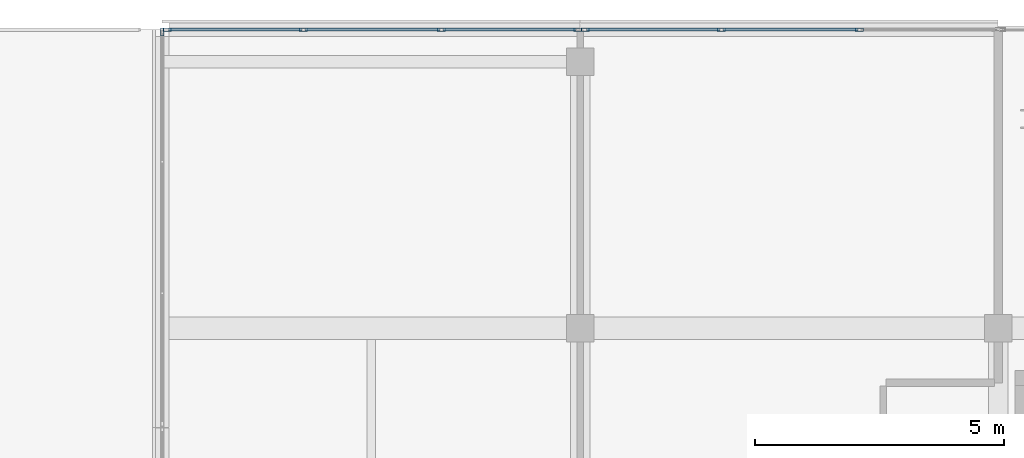
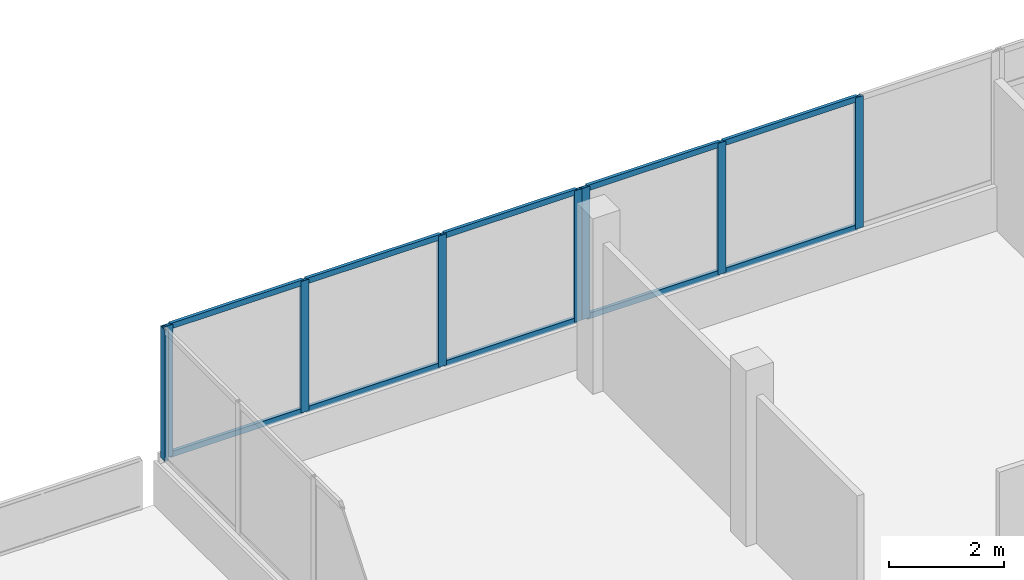
# One storey, part 23 of 67: 18 members, 3 elements without a shape of their own.
"""IFC4 building model written with IfcOpenShell, lengths in metres."""

from ifc_helpers import new_model, si_unit, direction, frame, origin, origin_2d, place, context, subcontext, project, spatial, hollow_rectangle, extrude, material, material_profile, profile_set, type_object, element, aggregate, save


model = new_model("IFC4")

# Units and contexts
model_context = context("Model", 3, precision=1e-05, world=origin(), true_north=direction((0.0, 1.0)))
body_context = subcontext(model_context, "Body", "Model", "MODEL_VIEW")
ifc_project = project(units=[si_unit("LENGTHUNIT", "METRE"), si_unit("AREAUNIT", "SQUARE_METRE"), si_unit("VOLUMEUNIT", "CUBIC_METRE"), si_unit("PLANEANGLEUNIT", "RADIAN"), si_unit("MASSUNIT", "GRAM", prefix="KILO")], contexts=[model_context])

# Site, building, storey
site_placement = place(None, origin())
site = spatial("IfcSite", under=ifc_project, at=site_placement, CompositionType="ELEMENT")
building_placement = place(site_placement, origin())
building = spatial("IfcBuilding", under=site, at=building_placement, Name="Selatvlak General Hospital", CompositionType="ELEMENT")
storey_placement = place(building_placement, frame((0.0, 0.0, 35.39990234375)))
storey = spatial("IfcBuildingStorey", under=building, at=storey_placement, Name="L08", CompositionType="ELEMENT", Elevation=35.39990234375)

# Curtain wall, member
ifc_material_1 = material(Name="Solar-control Low-E double glazing", Category="glass")
curtain_wall_type_1 = type_object("IfcCurtainWallType", Name="CW-CW-01", PredefinedType="USERDEFINED", material=ifc_material_1)
curtain_wall_1_placement = place(storey_placement, origin())
curtain_wall_1 = element("IfcCurtainWall", 1, at=curtain_wall_1_placement, inside=storey, type_object=curtain_wall_type_1, Name="Glazed facade curtain wall CW-L08-0682", ObjectType="UNITISED CURTAIN WALL", PredefinedType="USERDEFINED")
ifc_material_2 = material(Name="Dark anodised aluminium mullion", Category="aluminium")
ifc_material_profile_1 = material_profile(ifc_material_2, hollow_rectangle(XDim=0.06494140625, YDim=0.159912109375, WallThickness=0.00390625, at=origin_2d()), Name="AL-MUL 65x160x4")
ifc_profile_set_1 = profile_set([ifc_material_profile_1], Name="Dark anodised aluminium mullion")
member_type_1 = type_object("IfcMemberType", Name="CWM-01", PredefinedType="MULLION", material=ifc_profile_set_1)
member_1_placement = place(storey_placement, frame((31.199951171875, 119.951416015625, 0.940185546875), z_axis=(0.0, 0.0, 1.0), x_axis=(-1.0, 0.0, 0.0)))
member_1 = element("IfcMember", 2, at=member_1_placement, type_object=member_type_1, Name="CW-01 mullion 4", PredefinedType="MULLION", context=body_context, shape_type="SweptSolid", body=[
    extrude(hollow_rectangle(XDim=0.06494140625, YDim=0.159912109375, WallThickness=0.00390625, at=origin_2d()), origin(), (0.0, 0.0, 1.0), 2.7998046875),
])
aggregate(curtain_wall_1, [member_1])

# Curtain wall, members
curtain_wall_type_2 = type_object("IfcCurtainWallType", Name="CW-CW-02", PredefinedType="USERDEFINED", material=ifc_material_1)
curtain_wall_2_placement = place(storey_placement, origin())
curtain_wall_2 = element("IfcCurtainWall", 3, at=curtain_wall_2_placement, inside=storey, type_object=curtain_wall_type_2, Name="Glazed facade curtain wall CW-L08-0683", ObjectType="UNITISED CURTAIN WALL", PredefinedType="USERDEFINED")
member_2_placement = place(storey_placement, frame((31.297607421875, 119.9990234375, 0.940185546875), z_axis=(0.0, 0.0, 1.0), x_axis=(0.0, 1.0, 0.0)))
member_2 = element("IfcMember", 4, at=member_2_placement, type_object=member_type_1, Name="CW-02 mullion 1", PredefinedType="MULLION", context=body_context, shape_type="SweptSolid", body=[
    extrude(hollow_rectangle(XDim=0.06494140625, YDim=0.159912109375, WallThickness=0.00390625, at=origin_2d()), origin(), (0.0, 0.0, 1.0), 2.7998046875),
])
member_3_placement = place(storey_placement, frame((34.038330078125, 119.9990234375, 0.940185546875), z_axis=(0.0, 0.0, 1.0), x_axis=(0.0, 1.0, 0.0)))
member_3 = element("IfcMember", 5, at=member_3_placement, type_object=member_type_1, Name="CW-02 mullion 2", PredefinedType="MULLION", context=body_context, shape_type="SweptSolid", body=[
    extrude(hollow_rectangle(XDim=0.06494140625, YDim=0.159912109375, WallThickness=0.00390625, at=origin_2d()), origin(), (0.0, 0.0, 1.0), 2.7998046875),
])
member_4_placement = place(storey_placement, frame((36.811767578125, 119.9990234375, 0.940185546875), z_axis=(0.0, 0.0, 1.0), x_axis=(0.0, 1.0, 0.0)))
member_4 = element("IfcMember", 6, at=member_4_placement, type_object=member_type_1, Name="CW-02 mullion 3", PredefinedType="MULLION", context=body_context, shape_type="SweptSolid", body=[
    extrude(hollow_rectangle(XDim=0.06494140625, YDim=0.159912109375, WallThickness=0.00390625, at=origin_2d()), origin(), (0.0, 0.0, 1.0), 2.7998046875),
])
member_5_placement = place(storey_placement, frame((39.552490234375, 119.9990234375, 0.940185546875), z_axis=(0.0, 0.0, 1.0), x_axis=(0.0, 1.0, 0.0)))
member_5 = element("IfcMember", 7, at=member_5_placement, type_object=member_type_1, Name="CW-02 mullion 4", PredefinedType="MULLION", context=body_context, shape_type="SweptSolid", body=[
    extrude(hollow_rectangle(XDim=0.06494140625, YDim=0.159912109375, WallThickness=0.00390625, at=origin_2d()), origin(), (0.0, 0.0, 1.0), 2.7998046875),
])

curtain_wall_3_placement = place(storey_placement, origin())
curtain_wall_3 = element("IfcCurtainWall", 8, at=curtain_wall_3_placement, inside=storey, type_object=curtain_wall_type_1, Name="Glazed facade curtain wall CW-L08-0684", ObjectType="UNITISED CURTAIN WALL", PredefinedType="USERDEFINED")
member_6_placement = place(storey_placement, frame((39.697509765625, 119.9990234375, 0.940185546875), z_axis=(0.0, 0.0, 1.0), x_axis=(0.0, 1.0, 0.0)))
member_6 = element("IfcMember", 9, at=member_6_placement, type_object=member_type_1, Name="CW-01 mullion 1", PredefinedType="MULLION", context=body_context, shape_type="SweptSolid", body=[
    extrude(hollow_rectangle(XDim=0.06494140625, YDim=0.159912109375, WallThickness=0.00390625, at=origin_2d()), origin(), (0.0, 0.0, 1.0), 2.7998046875),
])
member_7_placement = place(storey_placement, frame((42.438232421875, 119.9990234375, 0.940185546875), z_axis=(0.0, 0.0, 1.0), x_axis=(0.0, 1.0, 0.0)))
member_7 = element("IfcMember", 10, at=member_7_placement, type_object=member_type_1, Name="CW-01 mullion 2", PredefinedType="MULLION", context=body_context, shape_type="SweptSolid", body=[
    extrude(hollow_rectangle(XDim=0.06494140625, YDim=0.159912109375, WallThickness=0.00390625, at=origin_2d()), origin(), (0.0, 0.0, 1.0), 2.7998046875),
])
member_8_placement = place(storey_placement, frame((45.211669921875, 119.9990234375, 0.940185546875), z_axis=(0.0, 0.0, 1.0), x_axis=(0.0, 1.0, 0.0)))
member_8 = element("IfcMember", 11, at=member_8_placement, type_object=member_type_1, Name="CW-01 mullion 3", PredefinedType="MULLION", context=body_context, shape_type="SweptSolid", body=[
    extrude(hollow_rectangle(XDim=0.06494140625, YDim=0.159912109375, WallThickness=0.00390625, at=origin_2d()), origin(), (0.0, 0.0, 1.0), 2.7998046875),
])

# Member
ifc_material_profile_2 = material_profile(ifc_material_2, hollow_rectangle(XDim=0.06494140625, YDim=0.1201171875, WallThickness=0.00390625, at=origin_2d()), Name="AL-TRN 65x120x4")
ifc_profile_set_2 = profile_set([ifc_material_profile_2], Name="Dark anodised aluminium mullion")
member_type_2 = type_object("IfcMemberType", Name="CWT-01", PredefinedType="USERDEFINED", material=ifc_profile_set_2)
member_9_placement = place(storey_placement, frame((31.330078125, 119.9990234375, 0.97265625), z_axis=(1.0, 0.0, 0.0), x_axis=(0.0, 1.0, 0.0)))
member_9 = element("IfcMember", 12, at=member_9_placement, type_object=member_type_2, Name="CW-02 transom 1.1", ObjectType="TRANSOM", PredefinedType="USERDEFINED", context=body_context, shape_type="SweptSolid", body=[
    extrude(hollow_rectangle(XDim=0.06494140625, YDim=0.1201171875, WallThickness=0.00390625, at=origin_2d()), origin(), (0.0, 0.0, 1.0), 2.67578125),
])

member_10_placement = place(storey_placement, frame((31.330078125, 119.9990234375, 3.70751953125), z_axis=(1.0, 0.0, 0.0), x_axis=(0.0, 1.0, 0.0)))
member_10 = element("IfcMember", 13, at=member_10_placement, type_object=member_type_2, Name="CW-02 transom 1.2", ObjectType="TRANSOM", PredefinedType="USERDEFINED", context=body_context, shape_type="SweptSolid", body=[
    extrude(hollow_rectangle(XDim=0.06494140625, YDim=0.1201171875, WallThickness=0.00390625, at=origin_2d()), origin(), (0.0, 0.0, 1.0), 2.67578125),
])

member_11_placement = place(storey_placement, frame((34.07080078125, 119.9990234375, 0.97265625), z_axis=(1.0, 0.0, 0.0), x_axis=(0.0, 1.0, 0.0)))
member_11 = element("IfcMember", 14, at=member_11_placement, type_object=member_type_2, Name="CW-02 transom 2.1", ObjectType="TRANSOM", PredefinedType="USERDEFINED", context=body_context, shape_type="SweptSolid", body=[
    extrude(hollow_rectangle(XDim=0.06494140625, YDim=0.1201171875, WallThickness=0.00390625, at=origin_2d()), origin(), (0.0, 0.0, 1.0), 2.708251953125),
])

member_12_placement = place(storey_placement, frame((34.07080078125, 119.9990234375, 3.70751953125), z_axis=(1.0, 0.0, 0.0), x_axis=(0.0, 1.0, 0.0)))
member_12 = element("IfcMember", 15, at=member_12_placement, type_object=member_type_2, Name="CW-02 transom 2.2", ObjectType="TRANSOM", PredefinedType="USERDEFINED", context=body_context, shape_type="SweptSolid", body=[
    extrude(hollow_rectangle(XDim=0.06494140625, YDim=0.1201171875, WallThickness=0.00390625, at=origin_2d()), origin(), (0.0, 0.0, 1.0), 2.708251953125),
])

member_13_placement = place(storey_placement, frame((36.84423828125, 119.9990234375, 0.97265625), z_axis=(1.0, 0.0, 0.0), x_axis=(0.0, 1.0, 0.0)))
member_13 = element("IfcMember", 16, at=member_13_placement, type_object=member_type_2, Name="CW-02 transom 3.1", ObjectType="TRANSOM", PredefinedType="USERDEFINED", context=body_context, shape_type="SweptSolid", body=[
    extrude(hollow_rectangle(XDim=0.06494140625, YDim=0.1201171875, WallThickness=0.00390625, at=origin_2d()), origin(), (0.0, 0.0, 1.0), 2.67578125),
])

member_14_placement = place(storey_placement, frame((36.84423828125, 119.9990234375, 3.70751953125), z_axis=(1.0, 0.0, 0.0), x_axis=(0.0, 1.0, 0.0)))
member_14 = element("IfcMember", 17, at=member_14_placement, type_object=member_type_2, Name="CW-02 transom 3.2", ObjectType="TRANSOM", PredefinedType="USERDEFINED", context=body_context, shape_type="SweptSolid", body=[
    extrude(hollow_rectangle(XDim=0.06494140625, YDim=0.1201171875, WallThickness=0.00390625, at=origin_2d()), origin(), (0.0, 0.0, 1.0), 2.67578125),
])

aggregate(curtain_wall_2, [member_2, member_3, member_4, member_5, member_9, member_10, member_11, member_12, member_13, member_14])

member_15_placement = place(storey_placement, frame((39.72998046875, 119.9990234375, 0.97265625), z_axis=(1.0, 0.0, 0.0), x_axis=(0.0, 1.0, 0.0)))
member_15 = element("IfcMember", 18, at=member_15_placement, type_object=member_type_2, Name="CW-01 transom 1.1", ObjectType="TRANSOM", PredefinedType="USERDEFINED", context=body_context, shape_type="SweptSolid", body=[
    extrude(hollow_rectangle(XDim=0.06494140625, YDim=0.1201171875, WallThickness=0.00390625, at=origin_2d()), origin(), (0.0, 0.0, 1.0), 2.67578125),
])

member_16_placement = place(storey_placement, frame((39.72998046875, 119.9990234375, 3.70751953125), z_axis=(1.0, 0.0, 0.0), x_axis=(0.0, 1.0, 0.0)))
member_16 = element("IfcMember", 19, at=member_16_placement, type_object=member_type_2, Name="CW-01 transom 1.2", ObjectType="TRANSOM", PredefinedType="USERDEFINED", context=body_context, shape_type="SweptSolid", body=[
    extrude(hollow_rectangle(XDim=0.06494140625, YDim=0.1201171875, WallThickness=0.00390625, at=origin_2d()), origin(), (0.0, 0.0, 1.0), 2.67578125),
])

member_17_placement = place(storey_placement, frame((42.470947265625, 119.9990234375, 0.97265625), z_axis=(1.0, 0.0, 0.0), x_axis=(0.0, 1.0, 0.0)))
member_17 = element("IfcMember", 20, at=member_17_placement, type_object=member_type_2, Name="CW-01 transom 2.1", ObjectType="TRANSOM", PredefinedType="USERDEFINED", context=body_context, shape_type="SweptSolid", body=[
    extrude(hollow_rectangle(XDim=0.06494140625, YDim=0.1201171875, WallThickness=0.00390625, at=origin_2d()), origin(), (0.0, 0.0, 1.0), 2.708251953125),
])

member_18_placement = place(storey_placement, frame((42.470947265625, 119.9990234375, 3.70751953125), z_axis=(1.0, 0.0, 0.0), x_axis=(0.0, 1.0, 0.0)))
member_18 = element("IfcMember", 21, at=member_18_placement, type_object=member_type_2, Name="CW-01 transom 2.2", ObjectType="TRANSOM", PredefinedType="USERDEFINED", context=body_context, shape_type="SweptSolid", body=[
    extrude(hollow_rectangle(XDim=0.06494140625, YDim=0.1201171875, WallThickness=0.00390625, at=origin_2d()), origin(), (0.0, 0.0, 1.0), 2.708251953125),
])

aggregate(curtain_wall_3, [member_6, member_7, member_8, member_15, member_16, member_17, member_18])

save(model, "model.ifc")
